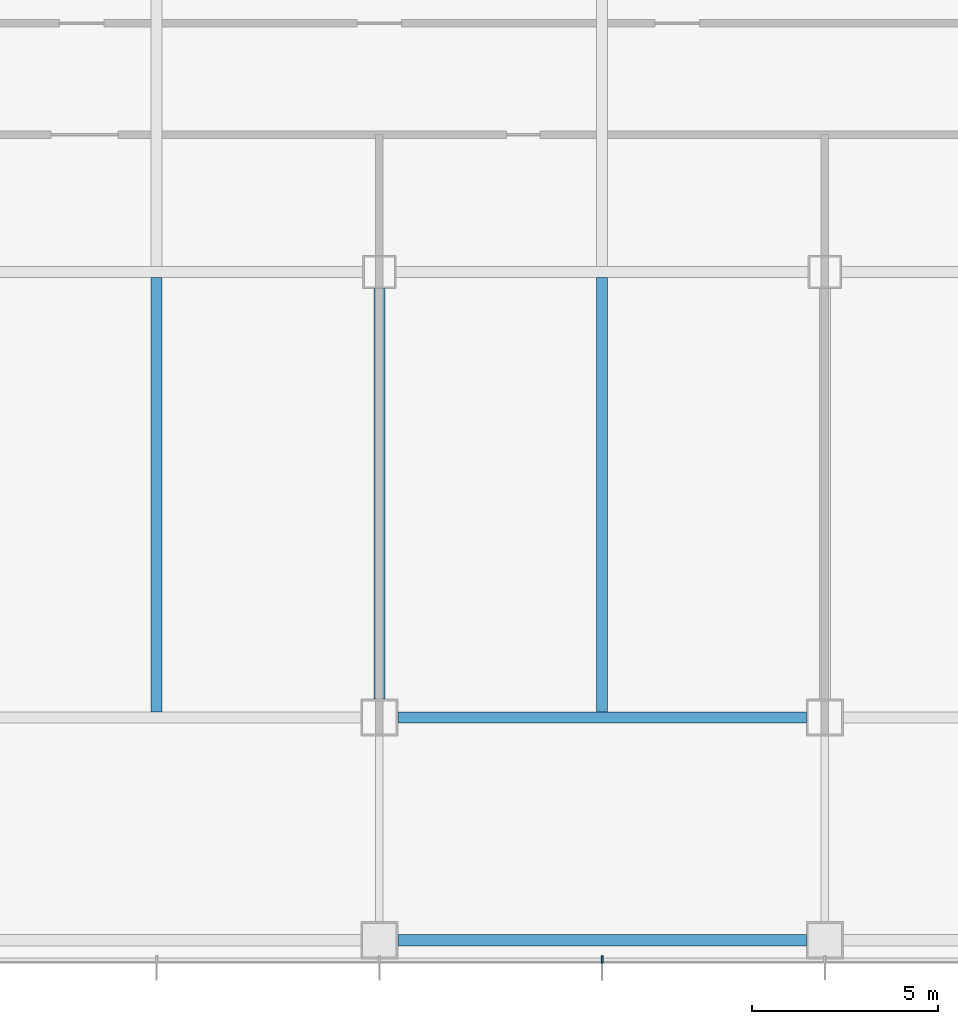
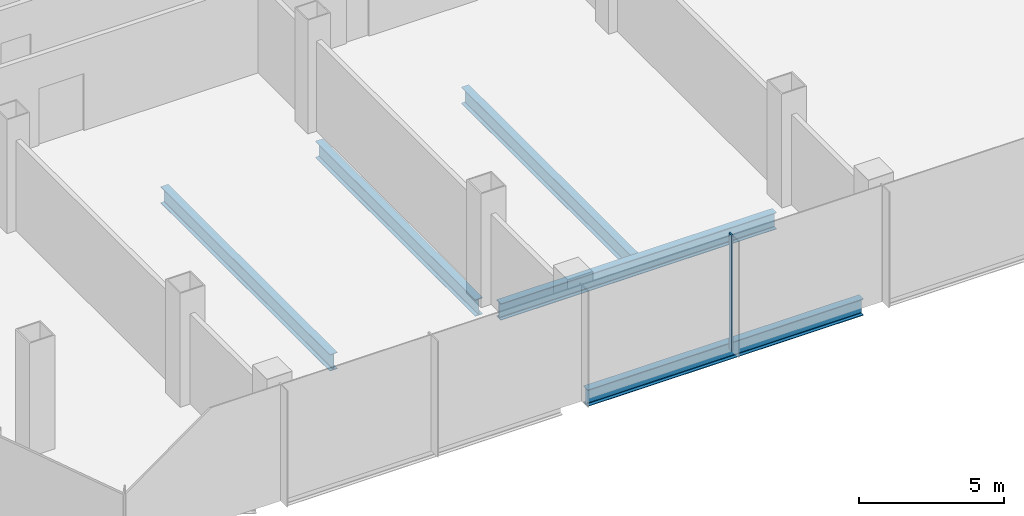
# One storey, part 3 of 34: 5 beams, 1 member, 1 element without a shape of its own.
"""IFC4 building model written with IfcOpenShell, lengths in metres."""

import ifcopenshell
import ifcopenshell.guid

model = None  # the IFC model being written
_history = None  # IfcOwnerHistory: only IFC2X3 demands one
_inside = {}  # id of a spatial element -> (the spatial element, [elements in it])
_under = {}  # id of a project, library or spatial element -> (it, [spatial elements below it])
_declared = {}  # id of a project -> (the project, [libraries it declares])
_typed = {}  # id of a type object -> (the type object, [elements of that type])
_made_of = {}  # id of a material, layer set ... -> (it, [elements and type objects made of it])


def new_model(schema):
    """Start an empty IFC model of exactly this schema.

    Asked for "IFC4X3", IfcOpenShell would pick the latest addendum, in which some entities
    have other attributes; the version numbers below select the first issue.
    IFC2X3 requires an IfcOwnerHistory on every rooted entity: one is made here for all.
    """
    global model, _history
    if schema == "IFC4X3":
        model = ifcopenshell.file(schema_version=(4, 3, 0, 0))
    else:
        model = ifcopenshell.file(schema=schema)
    _inside.clear()
    _under.clear()
    _declared.clear()
    _typed.clear()
    _made_of.clear()
    _history = None
    if model.schema == "IFC2X3":
        org = make("IfcOrganization", Name="unknown")
        user = make(
            "IfcPersonAndOrganization",
            ThePerson=make("IfcPerson", FamilyName="unknown"),
            TheOrganization=org,
        )
        app = make(
            "IfcApplication",
            ApplicationDeveloper=org,
            Version="unknown",
            ApplicationFullName="unknown",
            ApplicationIdentifier="unknown",
        )
        _history = make(
            "IfcOwnerHistory",
            OwningUser=user,
            OwningApplication=app,
            ChangeAction="ADDED",
            CreationDate=0,
        )
    return model


def make(cls, **values):
    """One entity of the class cls with the attributes given. An attribute that is None is left unset."""
    return model.create_entity(
        cls, **{name: value for name, value in values.items() if value is not None}
    )


def rooted(cls, **values):
    """An entity with a GlobalId (a new one), such as an element, a storey or a relation."""
    return make(cls, GlobalId=ifcopenshell.guid.new(), OwnerHistory=_history, **values)


def si_unit(unit_type, name, prefix=None):
    """IfcSIUnit, for example si_unit("LENGTHUNIT", "METRE", prefix="MILLI")."""
    return make("IfcSIUnit", UnitType=unit_type, Prefix=prefix, Name=name)


def assignment(units):
    """IfcUnitAssignment: the units of a project."""
    return None if units is None else make("IfcUnitAssignment", Units=units)


def point(xyz):
    """IfcCartesianPoint."""
    return None if xyz is None else make("IfcCartesianPoint", Coordinates=xyz)


def direction(xyz):
    """IfcDirection."""
    return None if xyz is None else make("IfcDirection", DirectionRatios=xyz)


def frame(location, z_axis=None, x_axis=None):
    """IfcAxis2Placement3D, a coordinate frame: its origin and axes. An axis left out is left unset."""
    return make(
        "IfcAxis2Placement3D",
        Location=point(location),
        Axis=direction(z_axis),
        RefDirection=direction(x_axis),
    )


def frame_2d(location, x_axis=None):
    """IfcAxis2Placement2D, a coordinate frame in the plane: its origin and x axis."""
    return make(
        "IfcAxis2Placement2D", Location=point(location), RefDirection=direction(x_axis)
    )


def origin():
    """The frame at (0, 0, 0) with its axes left unset."""
    return frame((0.0, 0.0, 0.0))


def origin_2d():
    """The frame at (0, 0) in the plane with its x axis left unset."""
    return frame_2d((0.0, 0.0))


def place(relative_to, where):
    """IfcLocalPlacement: puts the frame where relative to a parent placement (None: the world)."""
    return make(
        "IfcLocalPlacement", PlacementRelTo=relative_to, RelativePlacement=where
    )


def context(
    kind, dimensions, precision=None, world=None, true_north=None, identifier=None
):
    """IfcGeometricRepresentationContext, for example the 3D "Model" context."""
    return make(
        "IfcGeometricRepresentationContext",
        ContextIdentifier=identifier,
        ContextType=kind,
        CoordinateSpaceDimension=dimensions,
        Precision=precision,
        WorldCoordinateSystem=world,
        TrueNorth=true_north,
    )


def subcontext(parent, identifier, kind, view, scale=None):
    """IfcGeometricRepresentationSubContext, for example "Body" below "Model"."""
    return make(
        "IfcGeometricRepresentationSubContext",
        ContextIdentifier=identifier,
        ContextType=kind,
        ParentContext=parent,
        TargetScale=scale,
        TargetView=view,
    )


def project(units=None, contexts=None):
    """IfcProject with its units and contexts."""
    return rooted(
        "IfcProject",
        Name="project",
        RepresentationContexts=contexts,
        UnitsInContext=assignment(units),
    )


def spatial(cls, under=None, at=None, **own):
    """A site, building, storey or space (cls), placed at a placement, below another one or the project."""
    s = rooted(cls, ObjectPlacement=at, **own)
    if under is not None:
        _under.setdefault(under.id(), (under, []))[1].append(s)
    return s


def profile(cls, at=None, kind="AREA", **sizes):
    """A parametric profile (cls). Its sizes go by their IFC names, for example OverallWidth=200.0."""
    return make(cls, ProfileType=kind, Position=at, **sizes)


def rectangle(**sizes):
    """IfcRectangleProfileDef."""
    return profile("IfcRectangleProfileDef", **sizes)


def i_section(**sizes):
    """IfcIShapeProfileDef."""
    return profile("IfcIShapeProfileDef", **sizes)


def extrude(swept, where, along, depth):
    """IfcExtrudedAreaSolid: the profile swept, set in the frame where, extruded along a direction by depth."""
    return make(
        "IfcExtrudedAreaSolid",
        SweptArea=swept,
        Position=where,
        ExtrudedDirection=direction(along),
        Depth=depth,
    )


def shape(context_of_items, identifier, shape_type, items):
    """IfcShapeRepresentation: the items that make up one representation, for example the "Body"."""
    return make(
        "IfcShapeRepresentation",
        ContextOfItems=context_of_items,
        RepresentationIdentifier=identifier,
        RepresentationType=shape_type,
        Items=items,
    )


def material(Name=None, Category=None):
    """IfcMaterial."""
    return make("IfcMaterial", Name=Name, Category=Category)


def material_profile(
    of_material, cross_section, Name=None, Category=None, Priority=None
):
    """IfcMaterialProfile: a cross section and its material."""
    return make(
        "IfcMaterialProfile",
        Name=Name,
        Material=of_material,
        Profile=cross_section,
        Priority=Priority,
        Category=Category,
    )


def profile_set(profiles, Name=None, composite=None):
    """IfcMaterialProfileSet."""
    return make(
        "IfcMaterialProfileSet",
        Name=Name,
        MaterialProfiles=profiles,
        CompositeProfile=composite,
    )


def made_of(thing, what):
    """Note that an element or type object is made of a material, layer set ...; save() writes the relation."""
    if what is not None:
        _made_of.setdefault(what.id(), (what, []))[1].append(thing)
    return thing


def type_object(cls, material=None, **own):
    """A type object (cls), such as IfcWallType, which elements share."""
    return made_of(rooted(cls, **own), material)


def element(
    cls,
    number,
    at=None,
    inside=None,
    cuts=None,
    type_object=None,
    material=None,
    context=None,
    identifier="Body",
    shape_type=None,
    held_by="IfcProductDefinitionShape",
    body=None,
    shapes=None,
    **own,
):
    """One element of the class cls, such as IfcWall. Its Tag is "e" and its number.

    at: its placement. inside: the storey or other place that contains it. cuts: it is an
    opening in that element (IfcRelVoidsElement). A single representation is given by context,
    identifier, shape_type and body (its items); several are given by shapes. held_by: the class
    of the entity that holds the representations. save() writes the other relations.
    """
    e = rooted(cls, Tag="e%d" % number, ObjectPlacement=at, **own)
    if body is not None:
        shapes = [shape(context, identifier, shape_type, body)]
    if shapes is not None:
        e.Representation = make(held_by, Representations=shapes)
    if inside is not None:
        _inside.setdefault(inside.id(), (inside, []))[1].append(e)
    if cuts is not None:
        rooted(
            "IfcRelVoidsElement", RelatingBuildingElement=cuts, RelatedOpeningElement=e
        )
    if type_object is not None:
        _typed.setdefault(type_object.id(), (type_object, []))[1].append(e)
    return made_of(e, material)


def aggregate(whole, parts):
    """IfcRelAggregates: a whole, such as a stair, and the parts it consists of."""
    return rooted("IfcRelAggregates", RelatingObject=whole, RelatedObjects=parts)


def save(model, path):
    """Write the relations noted so far, then the file.

    IfcRelAggregates (storeys below a building ...), IfcRelContainedInSpatialStructure (elements
    in a storey), IfcRelDefinesByType, IfcRelAssociatesMaterial and IfcRelDeclares: one each for
    every whole, place, type object, material and project.
    """
    for whole, parts in _under.values():
        aggregate(whole, parts)
    for where, things in _inside.values():
        rooted(
            "IfcRelContainedInSpatialStructure",
            RelatedElements=things,
            RelatingStructure=where,
        )
    for kind, things in _typed.values():
        rooted("IfcRelDefinesByType", RelatedObjects=things, RelatingType=kind)
    for what, things in _made_of.values():
        rooted("IfcRelAssociatesMaterial", RelatedObjects=things, RelatingMaterial=what)
    for by, libraries in _declared.values():
        rooted("IfcRelDeclares", RelatingContext=by, RelatedDefinitions=libraries)
    model.write(path)


model = new_model("IFC4")

# Units and contexts
model_context = context("Model", 3, precision=1e-05, world=origin(), true_north=direction((0.0, 1.0)))
body_context = subcontext(model_context, "Body", "Model", "MODEL_VIEW")
ifc_project = project(units=[si_unit("LENGTHUNIT", "METRE"), si_unit("AREAUNIT", "SQUARE_METRE"), si_unit("VOLUMEUNIT", "CUBIC_METRE"), si_unit("PLANEANGLEUNIT", "RADIAN"), si_unit("MASSUNIT", "GRAM", prefix="KILO")], contexts=[model_context])

# Site, building, storey
site_placement = place(None, origin())
site = spatial("IfcSite", under=ifc_project, at=site_placement, CompositionType="ELEMENT")
building_placement = place(site_placement, origin())
building = spatial("IfcBuilding", under=site, at=building_placement, Name="Sorahane Residences", CompositionType="ELEMENT")
storey_placement = place(building_placement, frame((0.0, 0.0, 39.60009765625)))
storey = spatial("IfcBuildingStorey", under=building, at=storey_placement, Name="L06", CompositionType="ELEMENT", Elevation=39.60009765625)

# Curtain wall, member
ifc_material_1 = material(Name="Dark low-e glass and black anodised aluminium", Category="aluminium")
curtain_wall_type = type_object("IfcCurtainWallType", Name="Curtain wall CW-3 Podium unitised wall", PredefinedType="NOTDEFINED", material=ifc_material_1)
curtain_wall_placement = place(storey_placement, origin())
curtain_wall = element("IfcCurtainWall", 1, at=curtain_wall_placement, inside=storey, type_object=curtain_wall_type, Name="CW-3 curtain wall L06 S1", PredefinedType="NOTDEFINED")
ifc_material_2 = material(Name="Black anodised aluminium", Category="aluminium")
ifc_material_profile_1 = material_profile(ifc_material_2, rectangle(XDim=0.199951171875, YDim=0.050048828125, at=origin_2d()), Name="Curtain wall mullion CW-3 black anodised aluminium 50x200")
ifc_profile_set_1 = profile_set([ifc_material_profile_1], Name="Black anodised aluminium")
member_type = type_object("IfcMemberType", Name="Curtain wall mullion CW-3 black anodised aluminium 50x200", PredefinedType="MULLION", material=ifc_profile_set_1)
member_placement = place(storey_placement, frame((30.0, -6.52001953125, -0.400146484375), z_axis=(0.0, 0.0, 1.0), x_axis=(0.0, -1.0, 0.0)))
member = element("IfcMember", 2, at=member_placement, type_object=member_type, Name="CW-3 mullion L06 S1.5", PredefinedType="MULLION", context=body_context, shape_type="SweptSolid", body=[
    extrude(rectangle(XDim=0.199951171875, YDim=0.050048828125, at=origin_2d()), origin(), (0.0, 0.0, 1.0), 4.900146484375),
])
aggregate(curtain_wall, [member])

# Beams
ifc_material_3 = material(Name="Steel Q355B", Category="steel")
ifc_material_profile_2 = material_profile(ifc_material_3, i_section(OverallWidth=0.300048828125, OverallDepth=0.699951171875, WebThickness=0.012939453125, FlangeThickness=0.02392578125, FilletRadius=0.028076171875, at=origin_2d()), Name="HN 700x300x13x24")
ifc_profile_set_2 = profile_set([ifc_material_profile_2], Name="Steel Q355B")
beam_type = type_object("IfcBeamType", Name="Steel floor beam HN 700x300x13x24 Q355B", PredefinedType="BEAM", material=ifc_profile_set_2)
beam_1_placement = place(storey_placement, frame((24.5, 0.0, -0.75), z_axis=(1.0, 0.0, 0.0), x_axis=(0.0, 1.0, 0.0)))
element("IfcBeam", 3, at=beam_1_placement, inside=storey, type_object=beam_type, Name="Beam L06 003", PredefinedType="BEAM", context=body_context, shape_type="SweptSolid", body=[
    extrude(i_section(OverallWidth=0.300048828125, OverallDepth=0.699951171875, WebThickness=0.012939453125, FlangeThickness=0.02392578125, FilletRadius=0.028076171875, at=origin_2d()), origin(), (0.0, 0.0, 1.0), 11.0),
])
beam_2_placement = place(storey_placement, frame((18.0, 0.14990234375, -0.75), z_axis=(0.0, 1.0, 0.0), x_axis=(-1.0, 0.0, 0.0)))
element("IfcBeam", 4, at=beam_2_placement, inside=storey, type_object=beam_type, Name="Beam L06 038", PredefinedType="BEAM", context=body_context, shape_type="SweptSolid", body=[
    extrude(i_section(OverallWidth=0.300048828125, OverallDepth=0.699951171875, WebThickness=0.012939453125, FlangeThickness=0.02392578125, FilletRadius=0.028076171875, at=origin_2d()), origin(), (0.0, 0.0, 1.0), 11.7001953125),
])
beam_3_placement = place(storey_placement, frame((24.0, 0.5, -0.75), z_axis=(0.0, 1.0, 0.0), x_axis=(-1.0, 0.0, 0.0)))
element("IfcBeam", 5, at=beam_3_placement, inside=storey, type_object=beam_type, Name="Beam L06 045", PredefinedType="BEAM", context=body_context, shape_type="SweptSolid", body=[
    extrude(i_section(OverallWidth=0.300048828125, OverallDepth=0.699951171875, WebThickness=0.012939453125, FlangeThickness=0.02392578125, FilletRadius=0.028076171875, at=origin_2d()), origin(), (0.0, 0.0, 1.0), 11.050048828125),
])
beam_4_placement = place(storey_placement, frame((30.0, 0.14990234375, -0.75), z_axis=(0.0, 1.0, 0.0), x_axis=(-1.0, 0.0, 0.0)))
element("IfcBeam", 6, at=beam_4_placement, inside=storey, type_object=beam_type, Name="Beam L06 047", PredefinedType="BEAM", context=body_context, shape_type="SweptSolid", body=[
    extrude(i_section(OverallWidth=0.300048828125, OverallDepth=0.699951171875, WebThickness=0.012939453125, FlangeThickness=0.02392578125, FilletRadius=0.028076171875, at=origin_2d()), origin(), (0.0, 0.0, 1.0), 11.7001953125),
])
beam_5_placement = place(storey_placement, frame((24.5, -6.0, -0.75), z_axis=(1.0, 0.0, 0.0), x_axis=(0.0, 1.0, 0.0)))
element("IfcBeam", 7, at=beam_5_placement, inside=storey, type_object=beam_type, Name="Beam L06 080", PredefinedType="BEAM", context=body_context, shape_type="SweptSolid", body=[
    extrude(i_section(OverallWidth=0.300048828125, OverallDepth=0.699951171875, WebThickness=0.012939453125, FlangeThickness=0.02392578125, FilletRadius=0.028076171875, at=origin_2d()), origin(), (0.0, 0.0, 1.0), 11.0),
])

save(model, "model.ifc")
